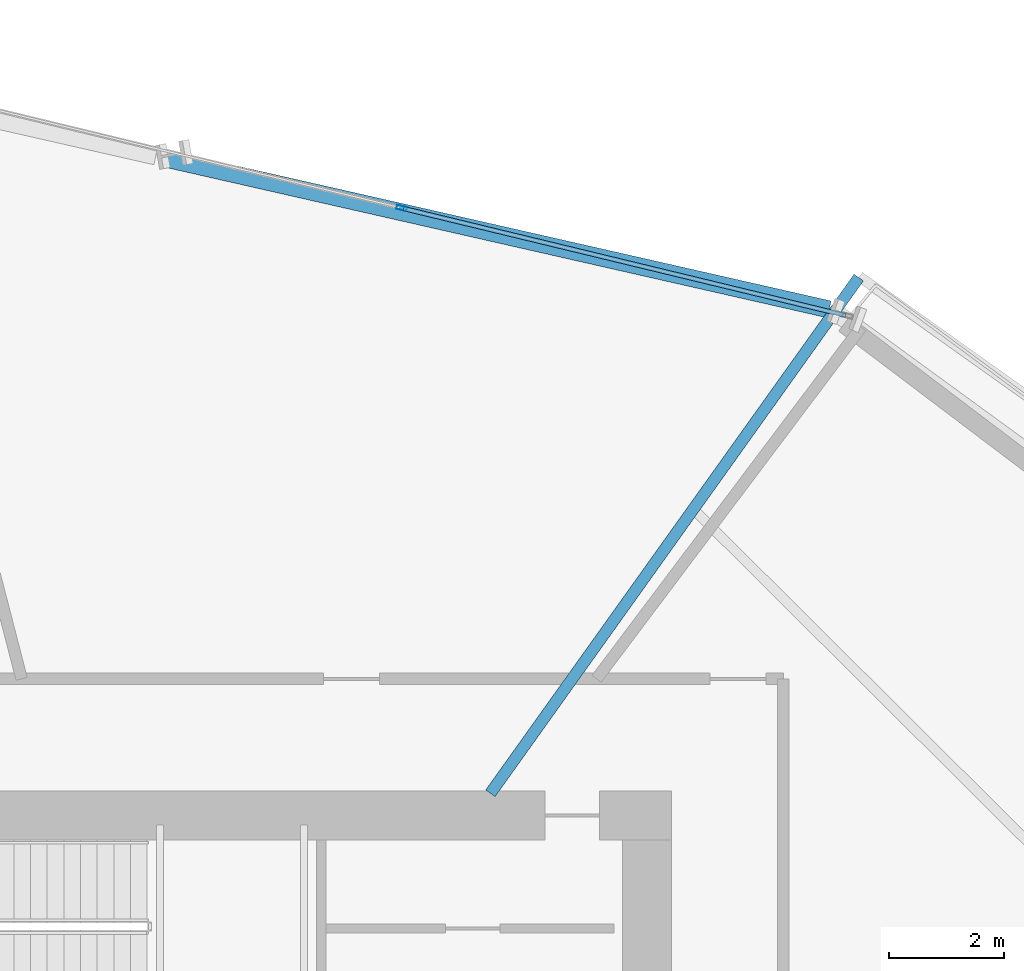
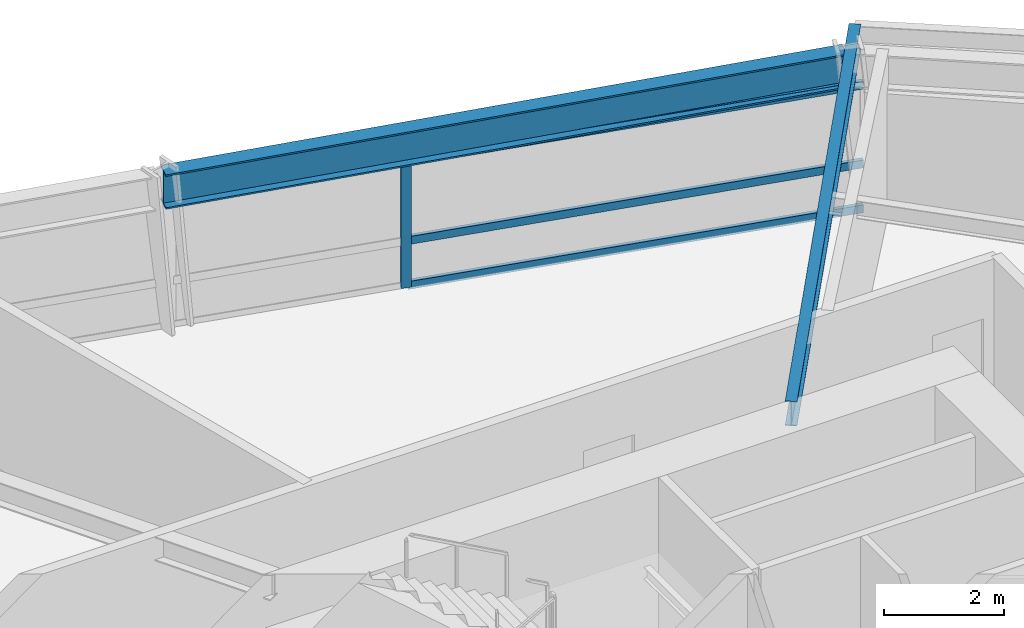
# One storey, part 11 of 24: 4 members, 2 beams, 1 element without a shape of its own.
"""IFC4 building model written with IfcOpenShell, lengths in metres."""

from ifc_helpers import new_model, si_unit, direction, frame, origin, origin_2d, place, context, subcontext, project, spatial, hollow_rectangle, i_section, extrude, source, transform, mapped, material, material_profile, profile_set, type_object, element, aggregate, save


model = new_model("IFC4")

# Units and contexts
model_context = context("Model", 3, precision=1e-05, world=origin(), true_north=direction((0.0, 1.0)))
body_context = subcontext(model_context, "Body", "Model", "MODEL_VIEW")
ifc_project = project(units=[si_unit("LENGTHUNIT", "METRE"), si_unit("AREAUNIT", "SQUARE_METRE"), si_unit("VOLUMEUNIT", "CUBIC_METRE"), si_unit("PLANEANGLEUNIT", "RADIAN"), si_unit("MASSUNIT", "GRAM", prefix="KILO")], contexts=[model_context])

# Site, building, storey
site_placement = place(None, origin())
site = spatial("IfcSite", under=ifc_project, at=site_placement, CompositionType="ELEMENT")
building_placement = place(site_placement, origin())
building = spatial("IfcBuilding", under=site, at=building_placement, Name="Olszyna Solenne Hotel", CompositionType="ELEMENT")
storey_placement = place(building_placement, frame((0.0, 0.0, 29.300048828125)))
storey = spatial("IfcBuildingStorey", under=building, at=storey_placement, Name="L06", CompositionType="ELEMENT", Elevation=29.300048828125)

# Beams
ifc_material_1 = material(Name="Steel S355J2", Category="steel")
ifc_material_profile_1 = material_profile(ifc_material_1, i_section(OverallWidth=0.300048828125, OverallDepth=0.699951171875, WebThickness=0.01708984375, FlangeThickness=0.031982421875, at=origin_2d()), Name="HEB 700", Category="load-bearing")
ifc_profile_set_1 = profile_set([ifc_material_profile_1], Name="Steel S355J2")
beam_type_1 = type_object("IfcBeamType", Name="BM-S1", PredefinedType="BEAM", material=ifc_profile_set_1)
shared_shape_1 = source(origin(), body_context, "Body", "SweptSolid", [
    extrude(i_section(OverallWidth=0.300048828125, OverallDepth=0.699951171875, WebThickness=0.01708984375, FlangeThickness=0.031982421875, at=origin_2d()), origin(), (0.0, 0.0, 1.0), 11.89599609375),
])
beam_1_placement = place(storey_placement, frame((49.49609375, 42.92822265625, 2.949951171875), z_axis=(-0.975131242954, 0.221628199955, 0.0), x_axis=(-0.221628199955, -0.975131242954, 0.0)))
element("IfcBeam", 1, at=beam_1_placement, inside=storey, type_object=beam_type_1, Name="Perimeter spandrel beam BM-S1 B-L06-0203", PredefinedType="BEAM", context=body_context, shape_type="MappedRepresentation", body=[
    mapped(shared_shape_1, transform((0.0, 0.0, 0.0), x_axis=(1.0, 0.0, 0.0), y_axis=(0.0, 1.0, 0.0), z_axis=(0.0, 0.0, 1.0), scale=1.0)),
])
ifc_material_profile_2 = material_profile(ifc_material_1, i_section(OverallWidth=0.199951171875, OverallDepth=0.5, WebThickness=0.01025390625, FlangeThickness=0.01611328125, at=origin_2d()), Name="IPE 500", Category="load-bearing")
ifc_profile_set_2 = profile_set([ifc_material_profile_2], Name="Steel S355J2")
beam_type_2 = type_object("IfcBeamType", Name="BM-F3", PredefinedType="BEAM", material=ifc_profile_set_2)
shared_shape_2 = source(origin(), body_context, "Body", "SweptSolid", [
    extrude(i_section(OverallWidth=0.199951171875, OverallDepth=0.5, WebThickness=0.01025390625, FlangeThickness=0.01611328125, at=origin_2d()), origin(), (0.0, 0.0, 1.0), 11.025634765625),
])
beam_2_placement = place(storey_placement, frame((50.01025390625, 43.48095703125, 3.050048828125), z_axis=(-0.581259139802, -0.813718509312, 0.0), x_axis=(0.813718509312, -0.581259139802, 0.0)))
element("IfcBeam", 2, at=beam_2_placement, inside=storey, type_object=beam_type_2, Name="Radial floor girder BM-F3 B-L06-0215", PredefinedType="BEAM", context=body_context, shape_type="MappedRepresentation", body=[
    mapped(shared_shape_2, transform((0.0, 0.0, 0.0), x_axis=(1.0, 0.0, 0.0), y_axis=(0.0, 1.0, 0.0), z_axis=(0.0, 0.0, 1.0), scale=1.0)),
])

# Curtain wall, members
ifc_material_2 = material(Name="Anodised bronze aluminium", Category="aluminium")
curtain_wall_type = type_object("IfcCurtainWallType", Name="CW-SYS-2", PredefinedType="NOTDEFINED", material=ifc_material_2)
curtain_wall_placement = place(storey_placement, origin())
curtain_wall = element("IfcCurtainWall", 3, at=curtain_wall_placement, inside=storey, type_object=curtain_wall_type, Name="Unitised curtain wall CW-SYS-2 CW-L06-02", PredefinedType="NOTDEFINED")
ifc_material_profile_3 = material_profile(ifc_material_2, hollow_rectangle(XDim=0.074951171875, YDim=0.179931640625, WallThickness=0.00439453125, at=origin_2d()), Name="MULL 180x75x4.5", Category="load-bearing")
ifc_profile_set_3 = profile_set([ifc_material_profile_3], Name="Anodised bronze aluminium")
member_type_1 = type_object("IfcMemberType", Name="CW-M2", PredefinedType="MULLION", material=ifc_profile_set_3)
shared_shape_3 = source(origin(), body_context, "Body", "SweptSolid", [
    extrude(hollow_rectangle(XDim=0.074951171875, YDim=0.179931640625, WallThickness=0.00439453125, at=origin_2d()), origin(), (0.0, 0.0, 1.0), 2.592041015625),
])
member_1_placement = place(storey_placement, frame((42.057861328125, 44.691162109375, 0.0), z_axis=(0.0, 0.0, 1.0), x_axis=(0.235108450794, 0.971969143731, 0.0)))
member_1 = element("IfcMember", 4, at=member_1_placement, type_object=member_type_1, Name="Curtain-wall mullion CW-M2 CM-L06-02-03", PredefinedType="MULLION", context=body_context, shape_type="MappedRepresentation", body=[
    mapped(shared_shape_3, transform((0.0, 0.0, 0.0), x_axis=(1.0, 0.0, 0.0), y_axis=(0.0, 1.0, 0.0), z_axis=(0.0, 0.0, 1.0), scale=1.0)),
])
ifc_material_profile_4 = material_profile(ifc_material_2, hollow_rectangle(XDim=0.074951171875, YDim=0.159912109375, WallThickness=0.00390625, at=origin_2d()), Name="TRAN 160x75x4", Category="load-bearing")
ifc_profile_set_4 = profile_set([ifc_material_profile_4], Name="Anodised bronze aluminium")
member_type_2 = type_object("IfcMemberType", Name="CW-T1", PredefinedType="USERDEFINED", material=ifc_profile_set_4)
shared_shape_4 = source(origin(), body_context, "Body", "SweptSolid", [
    extrude(hollow_rectangle(XDim=0.074951171875, YDim=0.159912109375, WallThickness=0.00390625, at=origin_2d()), origin(), (0.0, 0.0, 1.0), 7.9091796875),
])
member_2_placement = place(storey_placement, frame((42.09423828125, 44.682373046875, 0.037353515625), z_axis=(0.971973337593, -0.235091112141, 0.0), x_axis=(0.235091112141, 0.971973337593, 0.0)))
member_2 = element("IfcMember", 5, at=member_2_placement, type_object=member_type_2, Name="Curtain-wall transom CW-T1 CT-L06-02-07", ObjectType="TRANSOM", PredefinedType="USERDEFINED", context=body_context, shape_type="MappedRepresentation", body=[
    mapped(shared_shape_4, transform((0.0, 0.0, 0.0), x_axis=(1.0, 0.0, 0.0), y_axis=(0.0, 1.0, 0.0), z_axis=(0.0, 0.0, 1.0), scale=1.0)),
])
member_3_placement = place(storey_placement, frame((42.09423828125, 44.682373046875, 0.949951171875), z_axis=(0.971973337593, -0.235091112141, 0.0), x_axis=(0.235091112141, 0.971973337593, 0.0)))
member_3 = element("IfcMember", 6, at=member_3_placement, type_object=member_type_2, Name="Curtain-wall transom CW-T1 CT-L06-02-08", ObjectType="TRANSOM", PredefinedType="USERDEFINED", context=body_context, shape_type="MappedRepresentation", body=[
    mapped(shared_shape_4, transform((0.0, 0.0, 0.0), x_axis=(1.0, 0.0, 0.0), y_axis=(0.0, 1.0, 0.0), z_axis=(0.0, 0.0, 1.0), scale=1.0)),
])
member_4_placement = place(storey_placement, frame((42.09423828125, 44.682373046875, 2.554443359375), z_axis=(0.971973337593, -0.235091112141, 0.0), x_axis=(0.235091112141, 0.971973337593, 0.0)))
member_4 = element("IfcMember", 7, at=member_4_placement, type_object=member_type_2, Name="Curtain-wall transom CW-T1 CT-L06-02-09", ObjectType="TRANSOM", PredefinedType="USERDEFINED", context=body_context, shape_type="MappedRepresentation", body=[
    mapped(shared_shape_4, transform((0.0, 0.0, 0.0), x_axis=(1.0, 0.0, 0.0), y_axis=(0.0, 1.0, 0.0), z_axis=(0.0, 0.0, 1.0), scale=1.0)),
])
aggregate(curtain_wall, [member_1, member_2, member_3, member_4])

save(model, "model.ifc")
